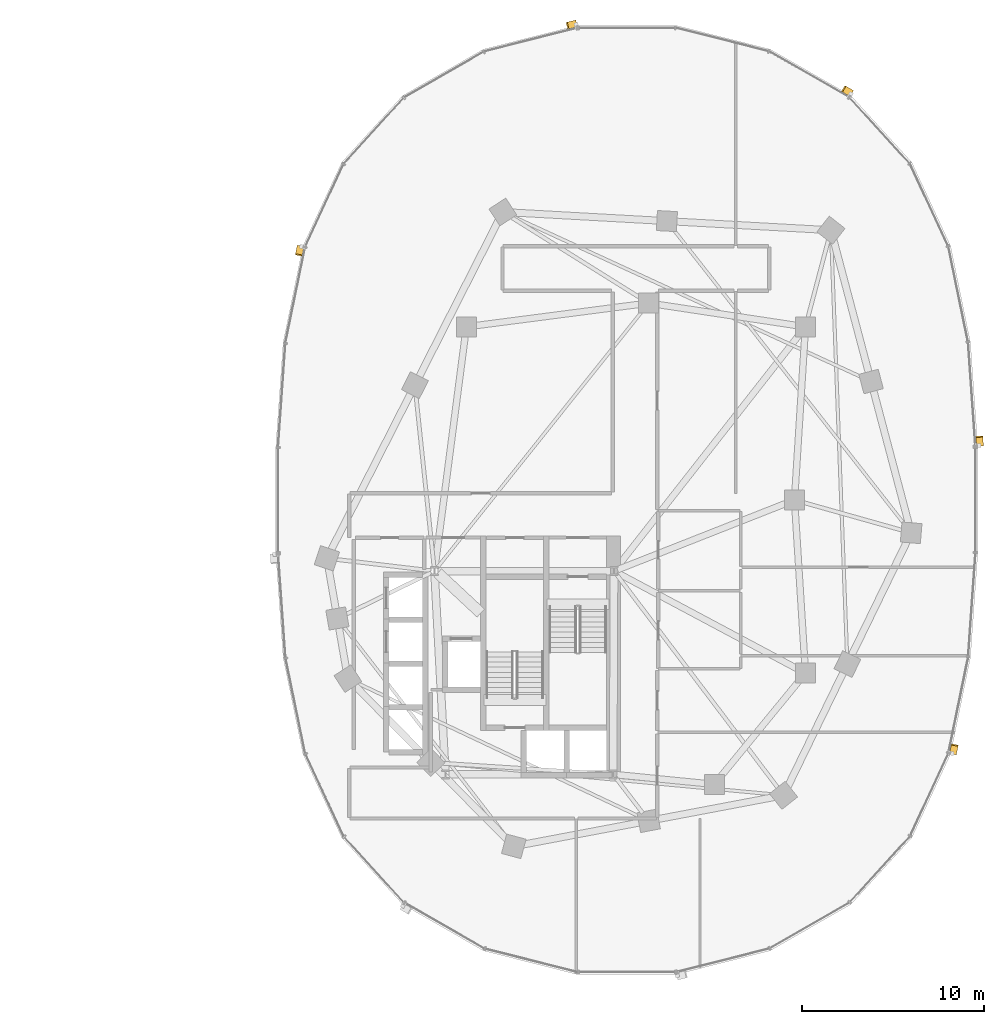
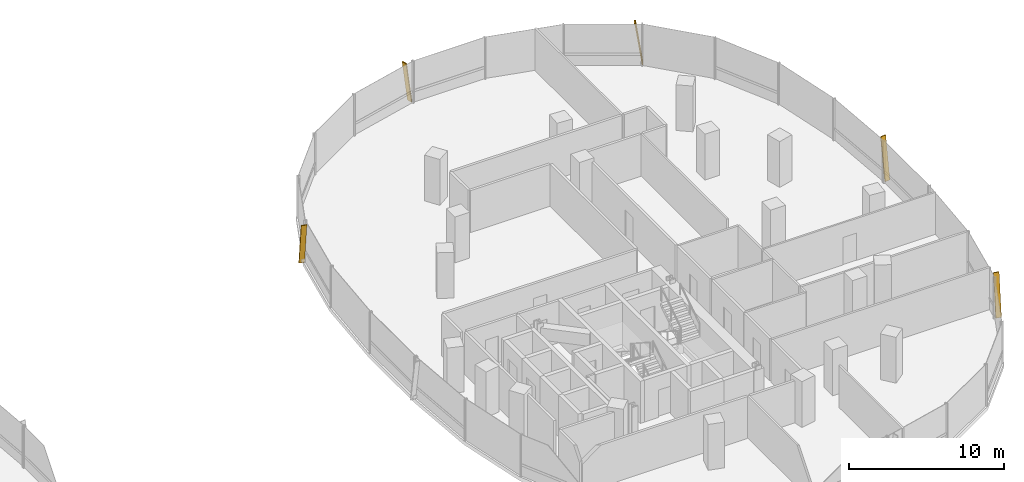
# One storey, part 21 of 21: 5 shading devices.
"""IFC4 building model written with IfcOpenShell, lengths in metres."""

from ifc_helpers import new_model, si_unit, direction, frame, origin, origin_2d, place, context, subcontext, project, spatial, rectangle, extrude, material, material_profile, profile_set, type_object, element, save


model = new_model("IFC4")

# Units and contexts
model_context = context("Model", 3, precision=1e-05, world=origin(), true_north=direction((0.0, 1.0)))
body_context = subcontext(model_context, "Body", "Model", "MODEL_VIEW")
ifc_project = project(units=[si_unit("LENGTHUNIT", "METRE"), si_unit("AREAUNIT", "SQUARE_METRE"), si_unit("VOLUMEUNIT", "CUBIC_METRE"), si_unit("PLANEANGLEUNIT", "RADIAN"), si_unit("MASSUNIT", "GRAM", prefix="KILO"), si_unit("THERMODYNAMICTEMPERATUREUNIT", "KELVIN"), si_unit("POWERUNIT", "WATT")], contexts=[model_context])

# Site, building, storey
site_placement = place(None, origin())
site = spatial("IfcSite", under=ifc_project, at=site_placement, CompositionType="ELEMENT")
building_placement = place(site_placement, origin())
building = spatial("IfcBuilding", under=site, at=building_placement, Name="Cundina Bronze Exchange", CompositionType="ELEMENT")
storey_placement = place(building_placement, frame((0.0, 0.0, 89.0)))
storey = spatial("IfcBuildingStorey", under=building, at=storey_placement, Name="L22", CompositionType="ELEMENT", Elevation=89.0)

# Shading devices
ifc_material = material(Name="Anodised Bronze Aluminium 6063-T6", Category="aluminium")
ifc_material_profile = material_profile(ifc_material, rectangle(XDim=0.070068359375, YDim=0.3798828125, at=origin_2d()), Name="FIN70X380", Category="aluminium")
ifc_profile_set = profile_set([ifc_material_profile], Name="Anodised Bronze Aluminium 6063-T6")
shading_device_type = type_object("IfcShadingDeviceType", Name="SHD-FIN-BRZ380", PredefinedType="USERDEFINED", material=ifc_profile_set)
for number, where, z_axis, x_axis, name in (
    (1, (51.3740234375, 2.993896484375, 0.02001953125), (-0.010224545828, 0.145292278041, 0.989335945271), (0.069450050635, -0.986895284755, 0.145651595925), "L22 Diagonal Bronze Solar Fin 1"),
    (2, (44.314208984375, 22.314208984375, 0.02001953125), (-0.126324692219, 0.072534823274, 0.989333498649), (0.857958278167, -0.492634108109, 0.145668213594), "L22 Diagonal Bronze Solar Fin 5"),
    (3, (29.212646484375, 26.138427734375, 0.02001953125), (-0.141217047268, -0.035711761166, 0.989334329575), (0.95914051701, 0.242552848478, 0.145662570088), "L22 Diagonal Bronze Solar Fin 1"),
    (4, (14.10400390625, 13.911865234375, 0.02001953125), (-0.029413888538, -0.142698109128, 0.989329102378), (0.199728220342, 0.968958570224, 0.145698068578), "L22 Diagonal Bronze Solar Fin 5"),
    (5, (49.89599609375, -13.911865234375, 0.02001953125), (0.029413888538, 0.142698109128, 0.989329102378), (-0.199728220342, -0.968958570224, 0.145698068578), "L22 Diagonal Bronze Solar Fin 5"),
):
    element("IfcShadingDevice", number, at=place(storey_placement, frame(where, z_axis=z_axis, x_axis=x_axis)), inside=storey, type_object=shading_device_type, Name=name, ObjectType="FIN", PredefinedType="USERDEFINED", context=body_context, shape_type="SweptSolid", body=[
        extrude(rectangle(XDim=0.070068359375, YDim=0.3798828125, at=origin_2d()), origin(), (0.0, 0.0, 1.0), 3.295166015625),
    ])

save(model, "model.ifc")
